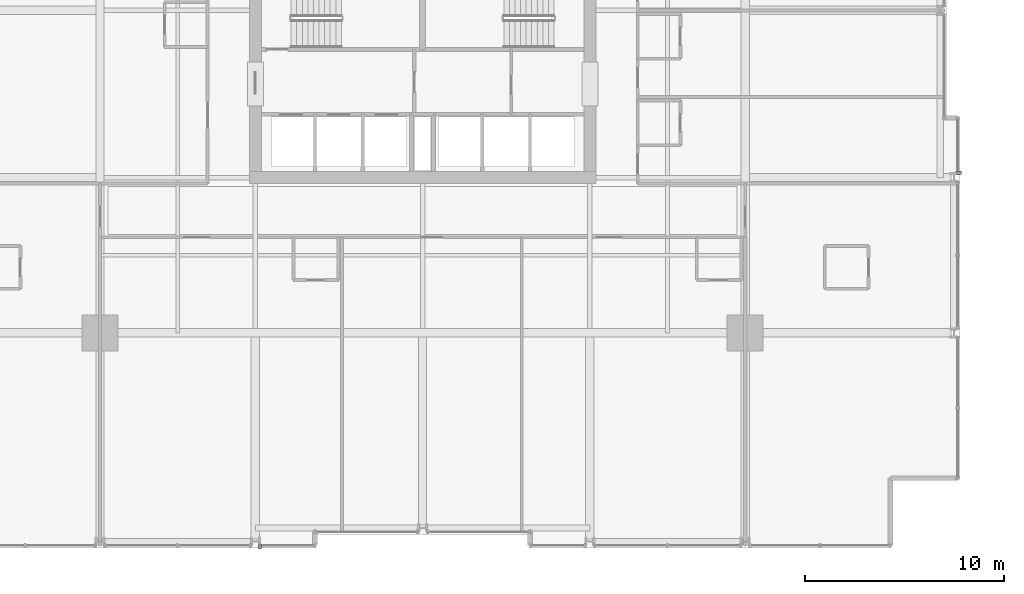
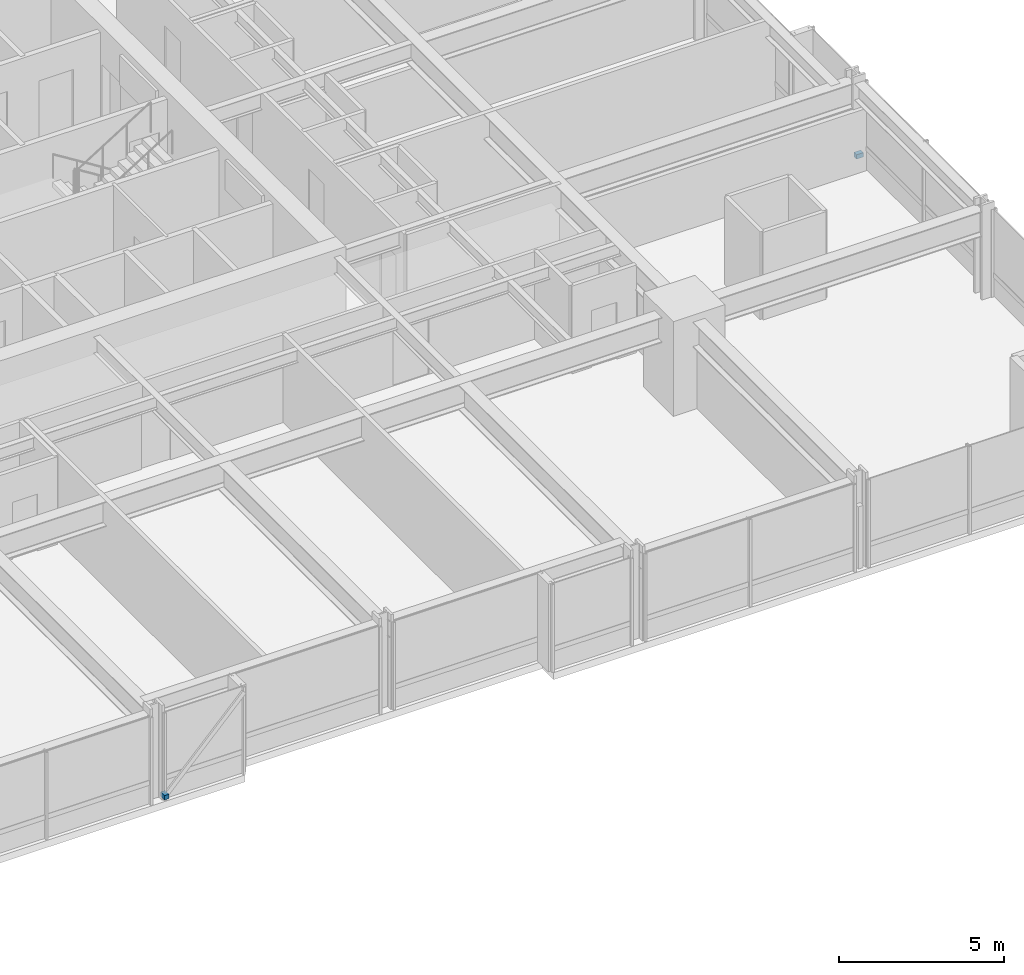
# One storey, part 34 of 38: 2 discrete accessories.
"""IFC4 building model written with IfcOpenShell, lengths in metres."""

from ifc_helpers import new_model, si_unit, direction, frame, origin, origin_2d, place, context, subcontext, project, spatial, rectangle, extrude, material, type_object, element, save


model = new_model("IFC4")

# Units and contexts
model_context = context("Model", 3, precision=1e-05, world=origin(), true_north=direction((0.0, 1.0)))
body_context = subcontext(model_context, "Body", "Model", "MODEL_VIEW")
ifc_project = project(units=[si_unit("LENGTHUNIT", "METRE"), si_unit("AREAUNIT", "SQUARE_METRE"), si_unit("VOLUMEUNIT", "CUBIC_METRE"), si_unit("PLANEANGLEUNIT", "RADIAN"), si_unit("MASSUNIT", "GRAM", prefix="KILO")], contexts=[model_context])

# Site, building, storey
site_placement = place(None, origin())
site = spatial("IfcSite", under=ifc_project, at=site_placement, CompositionType="ELEMENT")
building_placement = place(site_placement, origin())
building = spatial("IfcBuilding", under=site, at=building_placement, Name="Drelvath Grand Hotel", CompositionType="ELEMENT")
storey_placement = place(building_placement, frame((0.0, 0.0, 47.199951171875)))
storey = spatial("IfcBuildingStorey", under=building, at=storey_placement, Name="L10", CompositionType="ELEMENT", Elevation=47.199951171875)

# Discrete accessories
ifc_material = material(Name="Stainless Steel Grade 316", Category="steel")
discrete_accessory_type = type_object("IfcDiscreteAccessoryType", Name="Curtain Wall Fin Mounting Bracket Cleat", PredefinedType="BRACKET", material=ifc_material)
for number, where, z_axis, x_axis, name in (
    (1, (26.93994140625, 18.8408203125, 0.10009765625), (0.0, 0.0, 1.0), (0.0, -1.0, 0.0), "L10 Fin Mounting Bracket CW02-L10-ES3-1"),
    (2, (-8.1591796875, 0.06005859375, 0.10009765625), (0.0, 0.0, 1.0), (-1.0, 0.0, 0.0), "L10 Fin Mounting Bracket CW02-L10-SW3-1"),
):
    element("IfcDiscreteAccessory", number, at=place(storey_placement, frame(where, z_axis=z_axis, x_axis=x_axis)), inside=storey, type_object=discrete_accessory_type, Name=name, PredefinedType="BRACKET", context=body_context, shape_type="SweptSolid", body=[
        extrude(rectangle(XDim=0.159912109375, YDim=0.239990234375, at=origin_2d()), origin(), (0.0, 0.0, 1.0), 0.159912109375),
    ])

save(model, "model.ifc")
